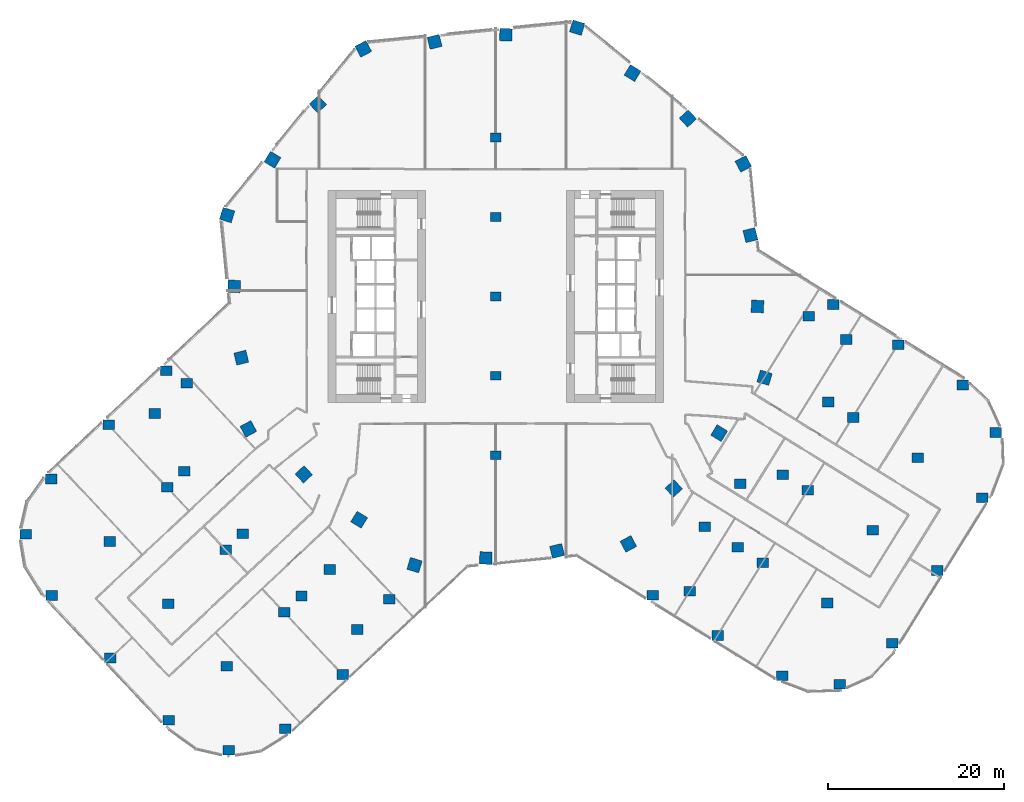
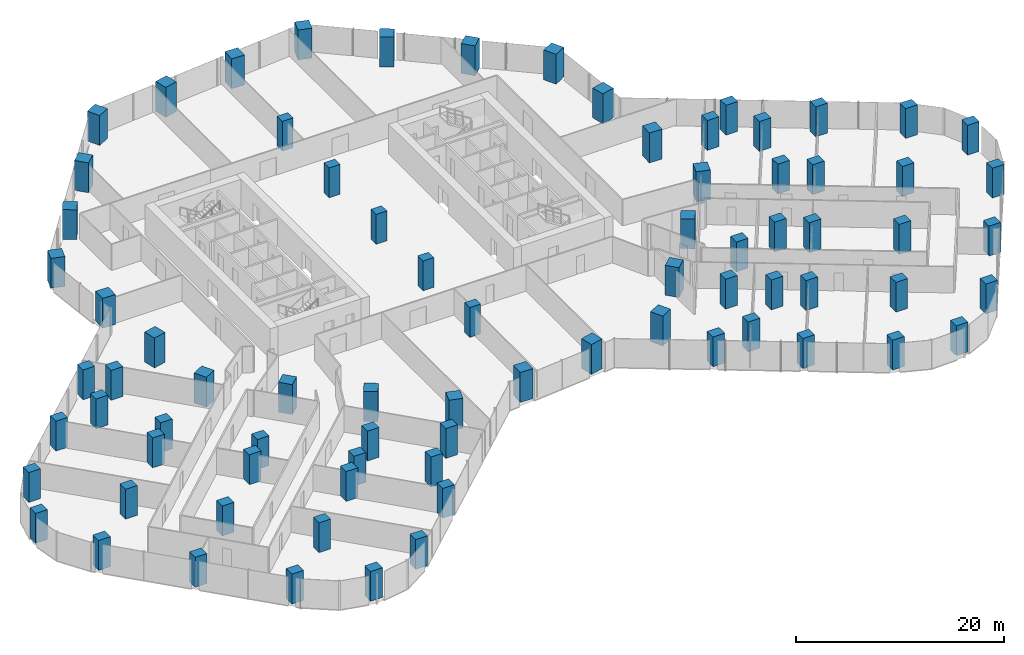
# One storey, part 1 of 34: 78 columns.
"""IFC4 building model written with IfcOpenShell, lengths in metres."""

from ifc_helpers import new_model, si_unit, direction, frame, origin, origin_2d, place, context, subcontext, project, spatial, rectangle, extrude, material, material_profile, profile_set, type_object, element, save


model = new_model("IFC4")

# Units and contexts
model_context = context("Model", 3, precision=1e-05, world=origin(), true_north=direction((0.0, 1.0)))
body_context = subcontext(model_context, "Body", "Model", "MODEL_VIEW")
ifc_project = project(units=[si_unit("LENGTHUNIT", "METRE"), si_unit("AREAUNIT", "SQUARE_METRE"), si_unit("VOLUMEUNIT", "CUBIC_METRE"), si_unit("PLANEANGLEUNIT", "RADIAN"), si_unit("MASSUNIT", "GRAM", prefix="KILO")], contexts=[model_context])

# Site, building, storey
site_placement = place(None, origin())
site = spatial("IfcSite", under=ifc_project, at=site_placement, CompositionType="ELEMENT")
building_placement = place(site_placement, origin())
building = spatial("IfcBuilding", under=site, at=building_placement, Name="Orlundy Tower", CompositionType="ELEMENT")
storey_placement = place(building_placement, frame((0.0, 0.0, 40.800048828125)))
storey = spatial("IfcBuildingStorey", under=building, at=storey_placement, Name="L08", CompositionType="ELEMENT", Elevation=40.800048828125)

# Columns
ifc_material_1 = material(Name="Concrete C80/95", Category="concrete")
ifc_material_profile_1 = material_profile(ifc_material_1, rectangle(XDim=1.199951171875, YDim=1.0, at=origin_2d()), Name="RC1200X1000")
ifc_profile_set_1 = profile_set([ifc_material_profile_1], Name="Concrete C80/95")
column_type_1 = type_object("IfcColumnType", Name="RC COLUMN RC1200X1000 C80/95", PredefinedType="COLUMN", material=ifc_profile_set_1)
for number, where, z_axis, x_axis, name in (
    (1, (0.0, -18.0, 0.0), (0.0, 0.0, 1.0), (1.0, 0.0, 0.0), "Column C-M1 L08"),
    (2, (0.0, -9.0, 0.0), (0.0, 0.0, 1.0), (1.0, 0.0, 0.0), "Column C-M2 L08"),
    (3, (0.0, 0.0, 0.0), (0.0, 0.0, 1.0), (1.0, 0.0, 0.0), "Column C-M3 L08"),
    (4, (0.0, 9.0, 0.0), (0.0, 0.0, 1.0), (1.0, 0.0, 0.0), "Column C-M4 L08"),
    (5, (0.0, 18.0, 0.0), (0.0, 0.0, 1.0), (1.0, 0.0, 0.0), "Column C-M5 L08"),
):
    element("IfcColumn", number, at=place(storey_placement, frame(where, z_axis=z_axis, x_axis=x_axis)), inside=storey, type_object=column_type_1, Name=name, PredefinedType="COLUMN", context=body_context, shape_type="SweptSolid", body=[
        extrude(rectangle(XDim=1.199951171875, YDim=1.0, at=origin_2d()), origin(), (0.0, 0.0, 1.0), 3.5),
    ])
ifc_material_2 = material(Name="Concrete C80/95", Category="concrete")
ifc_material_profile_2 = material_profile(ifc_material_2, rectangle(XDim=1.300048828125, YDim=1.10009765625, at=origin_2d()), Name="RC1300X1100")
ifc_profile_set_2 = profile_set([ifc_material_profile_2], Name="Concrete C80/95")
column_type_2 = type_object("IfcColumnType", Name="RC COLUMN RC1300X1100 C80/95", PredefinedType="COLUMN", material=ifc_profile_set_2)
for number, where, z_axis, x_axis, name in (
    (6, (17.803955078125, -33.887939453125, 0.0), (0.0, 0.0, 1.0), (1.0, 0.0, 0.0), "Column C-A1-1 L08"),
    (7, (25.138916015625, -38.44091796875, 0.0), (0.0, 0.0, 1.0), (1.0, 0.0, 0.0), "Column C-A1-2 L08"),
    (8, (32.47509765625, -42.991943359375, 0.0), (0.0, 0.0, 1.0), (1.0, 0.0, 0.0), "Column C-A1-3 L08"),
    (9, (38.968017578125, -43.958984375, 0.0), (0.0, 0.0, 1.0), (1.0, 0.0, 0.0), "Column C-A1-5 L08"),
    (10, (21.97705078125, -33.409912109375, 0.0), (0.0, 0.0, 1.0), (1.0, 0.0, 0.0), "Column C-A1-6 L08"),
    (11, (30.2548828125, -30.199951171875, 0.0), (0.0, 0.0, 1.0), (1.0, 0.0, 0.0), "Column C-A2-2 L08"),
    (12, (37.590087890625, -34.75390625, 0.0), (0.0, 0.0, 1.0), (1.0, 0.0, 0.0), "Column C-A2-3 L08"),
    (13, (44.924072265625, -39.30810546875, 0.0), (0.0, 0.0, 1.0), (1.0, 0.0, 0.0), "Column C-A2-5 L08"),
    (14, (27.423095703125, -28.44189453125, 0.0), (0.0, 0.0, 1.0), (1.0, 0.0, 0.0), "Column C-A2-6 L08"),
    (15, (23.68505859375, -26.1220703125, 0.0), (0.0, 0.0, 1.0), (1.0, 0.0, 0.0), "Column C-A2-7 L08"),
    (16, (35.37109375, -21.9599609375, 0.0), (0.0, 0.0, 1.0), (1.0, 0.0, 0.0), "Column C-A3-2 L08"),
    (17, (42.7060546875, -26.512939453125, 0.0), (0.0, 0.0, 1.0), (1.0, 0.0, 0.0), "Column C-A3-3 L08"),
    (18, (50.041015625, -31.06689453125, 0.0), (0.0, 0.0, 1.0), (1.0, 0.0, 0.0), "Column C-A3-5 L08"),
    (19, (32.5390625, -20.200927734375, 0.0), (0.0, 0.0, 1.0), (1.0, 0.0, 0.0), "Column C-A3-6 L08"),
    (20, (27.68798828125, -21.24609375, 0.0), (0.0, 0.0, 1.0), (1.0, 0.0, 0.0), "Column C-A3-7 L08"),
    (21, (40.487060546875, -13.718994140625, 0.0), (0.0, 0.0, 1.0), (1.0, 0.0, 0.0), "Column C-A4-2 L08"),
    (22, (47.822021484375, -18.27197265625, 0.0), (0.0, 0.0, 1.0), (1.0, 0.0, 0.0), "Column C-A4-3 L08"),
    (23, (55.156982421875, -22.825927734375, 0.0), (0.0, 0.0, 1.0), (1.0, 0.0, 0.0), "Column C-A4-5 L08"),
    (24, (37.655029296875, -11.9599609375, 0.0), (0.0, 0.0, 1.0), (1.0, 0.0, 0.0), "Column C-A4-6 L08"),
    (25, (38.26904296875, -0.924072265625, 0.0), (0.0, 0.0, 1.0), (1.0, 0.0, 0.0), "Column C-A5-1 L08"),
    (26, (45.60400390625, -5.47802734375, 0.0), (0.0, 0.0, 1.0), (1.0, 0.0, 0.0), "Column C-A5-2 L08"),
    (27, (52.93603515625, -10.034912109375, 0.0), (0.0, 0.0, 1.0), (1.0, 0.0, 0.0), "Column C-A5-3 L08"),
    (28, (56.68408203125, -15.425048828125, 0.0), (0.0, 0.0, 1.0), (1.0, 0.0, 0.0), "Column C-A5-5 L08"),
    (29, (39.69189453125, -4.8759765625, 0.0), (0.0, 0.0, 1.0), (1.0, 0.0, 0.0), "Column C-A5-6 L08"),
    (30, (35.444091796875, -2.238037109375, 0.0), (0.0, 0.0, 1.0), (1.0, 0.0, 0.0), "Column C-A5-7 L08"),
    (31, (-37.341064453125, -8.426025390625, 0.0), (0.0, 0.0, 1.0), (1.0, 0.0, 0.0), "Column C-B1-1 L08"),
    (32, (-43.881103515625, -14.56103515625, 0.0), (0.0, 0.0, 1.0), (1.0, 0.0, 0.0), "Column C-B1-2 L08"),
    (33, (-50.4208984375, -20.695068359375, 0.0), (0.0, 0.0, 1.0), (1.0, 0.0, 0.0), "Column C-B1-3 L08"),
    (34, (-53.27587890625, -26.947021484375, 0.0), (0.0, 0.0, 1.0), (1.0, 0.0, 0.0), "Column C-B1-5 L08"),
    (35, (-38.68896484375, -13.264892578125, 0.0), (0.0, 0.0, 1.0), (1.0, 0.0, 0.0), "Column C-B1-6 L08"),
    (36, (-35.0419921875, -9.843994140625, 0.0), (0.0, 0.0, 1.0), (1.0, 0.0, 0.0), "Column C-B1-7 L08"),
    (37, (-37.2451171875, -21.635009765625, 0.0), (0.0, 0.0, 1.0), (1.0, 0.0, 0.0), "Column C-B2-2 L08"),
    (38, (-43.784912109375, -27.77001953125, 0.0), (0.0, 0.0, 1.0), (1.0, 0.0, 0.0), "Column C-B2-3 L08"),
    (39, (-50.324951171875, -33.904052734375, 0.0), (0.0, 0.0, 1.0), (1.0, 0.0, 0.0), "Column C-B2-5 L08"),
    (40, (-35.300048828125, -19.81103515625, 0.0), (0.0, 0.0, 1.0), (1.0, 0.0, 0.0), "Column C-B2-6 L08"),
    (41, (-30.60888671875, -28.7099609375, 0.0), (0.0, 0.0, 1.0), (1.0, 0.0, 0.0), "Column C-B3-2 L08"),
    (42, (-37.14892578125, -34.844970703125, 0.0), (0.0, 0.0, 1.0), (1.0, 0.0, 0.0), "Column C-B3-3 L08"),
    (43, (-43.68896484375, -40.97900390625, 0.0), (0.0, 0.0, 1.0), (1.0, 0.0, 0.0), "Column C-B3-5 L08"),
    (44, (-28.6640625, -26.885986328125, 0.0), (0.0, 0.0, 1.0), (1.0, 0.0, 0.0), "Column C-B3-6 L08"),
    (45, (-23.972900390625, -35.784912109375, 0.0), (0.0, 0.0, 1.0), (1.0, 0.0, 0.0), "Column C-B4-2 L08"),
    (46, (-30.512939453125, -41.919921875, 0.0), (0.0, 0.0, 1.0), (1.0, 0.0, 0.0), "Column C-B4-3 L08"),
    (47, (-37.052978515625, -48.053955078125, 0.0), (0.0, 0.0, 1.0), (1.0, 0.0, 0.0), "Column C-B4-5 L08"),
    (48, (-22.028076171875, -33.9609375, 0.0), (0.0, 0.0, 1.0), (1.0, 0.0, 0.0), "Column C-B4-6 L08"),
    (49, (-18.819091796875, -30.950927734375, 0.0), (0.0, 0.0, 1.0), (1.0, 0.0, 0.0), "Column C-B4-7 L08"),
    (50, (-17.3369140625, -42.860107421875, 0.0), (0.0, 0.0, 1.0), (1.0, 0.0, 0.0), "Column C-B5-2 L08"),
    (51, (-23.876953125, -48.993896484375, 0.0), (0.0, 0.0, 1.0), (1.0, 0.0, 0.0), "Column C-B5-3 L08"),
    (52, (-30.299072265625, -51.444091796875, 0.0), (0.0, 0.0, 1.0), (1.0, 0.0, 0.0), "Column C-B5-5 L08"),
    (53, (-15.7119140625, -37.761962890625, 0.0), (0.0, 0.0, 1.0), (1.0, 0.0, 0.0), "Column C-B5-6 L08"),
    (54, (-12.06494140625, -34.341064453125, 0.0), (0.0, 0.0, 1.0), (1.0, 0.0, 0.0), "Column C-B5-7 L08"),
):
    element("IfcColumn", number, at=place(storey_placement, frame(where, z_axis=z_axis, x_axis=x_axis)), inside=storey, type_object=column_type_2, Name=name, PredefinedType="COLUMN", context=body_context, shape_type="SweptSolid", body=[
        extrude(rectangle(XDim=1.300048828125, YDim=1.10009765625, at=origin_2d()), origin(), (0.0, 0.0, 1.0), 3.5),
    ])
ifc_material_3 = material(Name="Concrete C80/95", Category="concrete")
ifc_material_profile_3 = material_profile(ifc_material_3, rectangle(XDim=1.39990234375, YDim=1.39990234375, at=origin_2d()), Name="RC1400X1400")
ifc_profile_set_3 = profile_set([ifc_material_profile_3], Name="Concrete C80/95")
column_type_3 = type_object("IfcColumnType", Name="RC COLUMN RC1400X1400 C80/95", PredefinedType="COLUMN", material=ifc_profile_set_3)
for number, where, z_axis, x_axis, name in (
    (55, (28.053955078125, 15.02099609375, 0.0), (0.0, 0.0, 1.0), (0.881583714147, 0.472027705702, 0.0), "Column C-H01 L08"),
    (56, (28.85595703125, 6.94189453125, 0.0), (0.0, 0.0, 1.0), (0.972259803901, 0.233903556449, 0.0), "Column C-H02 L08"),
    (57, (29.656982421875, -1.135986328125, 0.0), (0.0, 0.0, 1.0), (0.999266930894, -0.038283166309, 0.0), "Column C-H03 L08"),
    (58, (30.458984375, -9.215087890625, 0.0), (0.0, 0.0, 1.0), (0.957152868392, -0.289583125422, 0.0), "Column C-H04 L08"),
    (59, (25.31298828125, -15.4951171875, 0.0), (0.0, 0.0, 1.0), (0.852895403498, -0.522081823751, 0.0), "Column C-H05 L08"),
    (60, (20.1669921875, -21.77392578125, 0.0), (0.0, 0.0, 1.0), (0.679518136548, -0.733658709553, 0.0), "Column C-H06 L08"),
    (61, (15.02099609375, -28.053955078125, 0.0), (0.0, 0.0, 1.0), (0.472027705702, -0.881583714147, 0.0), "Column C-H07 L08"),
    (62, (6.94189453125, -28.85595703125, 0.0), (0.0, 0.0, 1.0), (0.233903556449, -0.972259803901, 0.0), "Column C-H08 L08"),
    (63, (-1.135986328125, -29.656982421875, 0.0), (0.0, 0.0, 1.0), (-0.038283166309, -0.999266930894, 0.0), "Column C-H09 L08"),
    (64, (-9.215087890625, -30.458984375, 0.0), (0.0, 0.0, 1.0), (-0.289583125422, -0.957152868392, 0.0), "Column C-H10 L08"),
    (65, (-15.4951171875, -25.31298828125, 0.0), (0.0, 0.0, 1.0), (-0.522081823751, -0.852895403498, 0.0), "Column C-H11 L08"),
    (66, (-21.77392578125, -20.1669921875, 0.0), (0.0, 0.0, 1.0), (-0.733658709553, -0.679518136548, 0.0), "Column C-H12 L08"),
    (67, (-28.053955078125, -15.02099609375, 0.0), (0.0, 0.0, 1.0), (-0.881583714147, -0.472027705702, 0.0), "Column C-H13 L08"),
    (68, (-28.85595703125, -6.94189453125, 0.0), (0.0, 0.0, 1.0), (-0.972259803901, -0.233903556449, 0.0), "Column C-H14 L08"),
    (69, (-29.656982421875, 1.135986328125, 0.0), (0.0, 0.0, 1.0), (-0.999266930894, 0.038283166309, 0.0), "Column C-H15 L08"),
    (70, (-30.458984375, 9.215087890625, 0.0), (0.0, 0.0, 1.0), (-0.957152868392, 0.289583125422, 0.0), "Column C-H16 L08"),
    (71, (-25.31298828125, 15.4951171875, 0.0), (0.0, 0.0, 1.0), (-0.852895403498, 0.522081823751, 0.0), "Column C-H17 L08"),
    (72, (-20.1669921875, 21.77392578125, 0.0), (0.0, 0.0, 1.0), (-0.679518136548, 0.733658709553, 0.0), "Column C-H18 L08"),
    (73, (-15.02099609375, 28.053955078125, 0.0), (0.0, 0.0, 1.0), (-0.472027705702, 0.881583714147, 0.0), "Column C-H19 L08"),
    (74, (-6.94189453125, 28.85595703125, 0.0), (0.0, 0.0, 1.0), (-0.233903556449, 0.972259803901, 0.0), "Column C-H20 L08"),
    (75, (1.135986328125, 29.656982421875, 0.0), (0.0, 0.0, 1.0), (0.038283166309, 0.999266930894, 0.0), "Column C-H21 L08"),
    (76, (9.215087890625, 30.458984375, 0.0), (0.0, 0.0, 1.0), (0.289583125422, 0.957152868392, 0.0), "Column C-H22 L08"),
    (77, (15.4951171875, 25.31298828125, 0.0), (0.0, 0.0, 1.0), (0.522081823751, 0.852895403498, 0.0), "Column C-H23 L08"),
    (78, (21.77392578125, 20.1669921875, 0.0), (0.0, 0.0, 1.0), (0.733658709553, 0.679518136548, 0.0), "Column C-H24 L08"),
):
    element("IfcColumn", number, at=place(storey_placement, frame(where, z_axis=z_axis, x_axis=x_axis)), inside=storey, type_object=column_type_3, Name=name, PredefinedType="COLUMN", context=body_context, shape_type="SweptSolid", body=[
        extrude(rectangle(XDim=1.39990234375, YDim=1.39990234375, at=origin_2d()), origin(), (0.0, 0.0, 1.0), 3.5),
    ])

save(model, "model.ifc")
